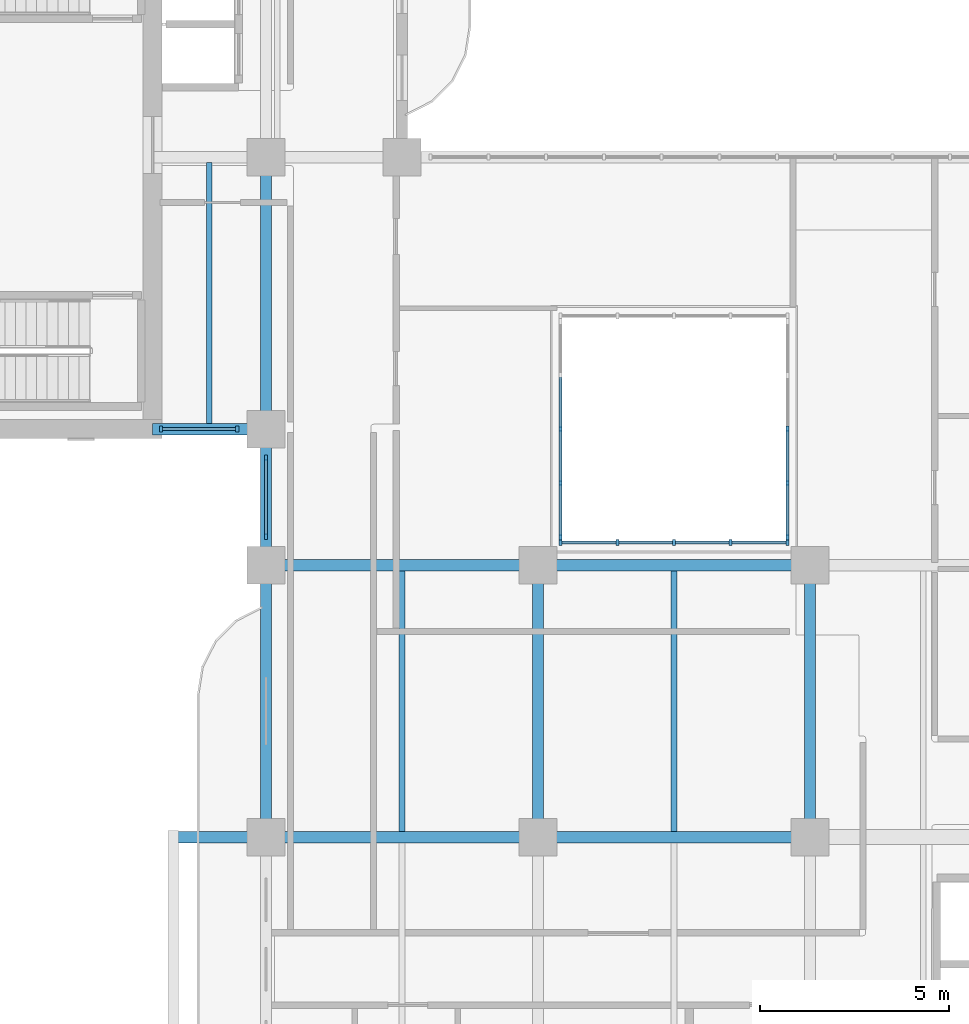
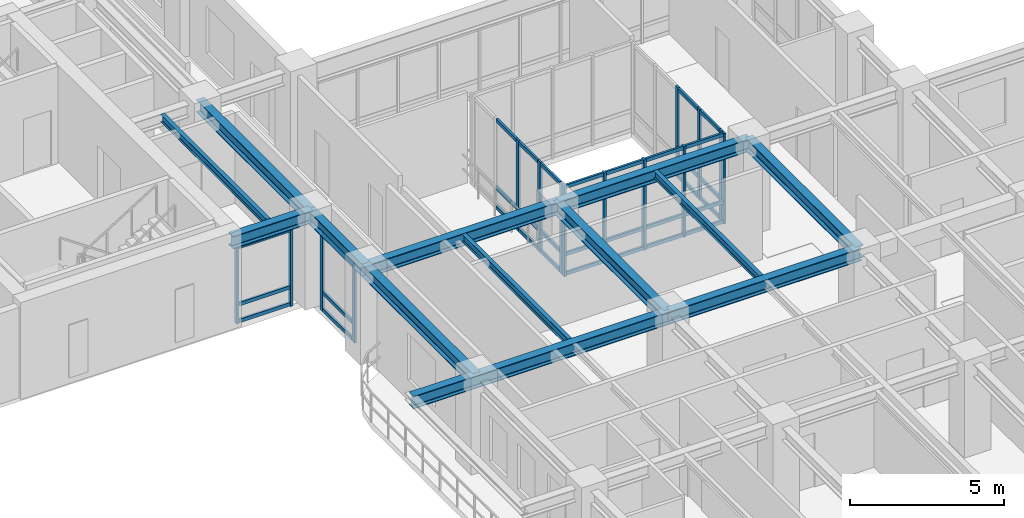
# One storey, part 2 of 19: 48 members, 13 beams, 5 elements without a shape of their own.
"""IFC4 building model written with IfcOpenShell, lengths in metres."""

import ifcopenshell
import ifcopenshell.guid

model = None  # the IFC model being written
_history = None  # IfcOwnerHistory: only IFC2X3 demands one
_inside = {}  # id of a spatial element -> (the spatial element, [elements in it])
_under = {}  # id of a project, library or spatial element -> (it, [spatial elements below it])
_declared = {}  # id of a project -> (the project, [libraries it declares])
_typed = {}  # id of a type object -> (the type object, [elements of that type])
_made_of = {}  # id of a material, layer set ... -> (it, [elements and type objects made of it])


def new_model(schema):
    """Start an empty IFC model of exactly this schema.

    Asked for "IFC4X3", IfcOpenShell would pick the latest addendum, in which some entities
    have other attributes; the version numbers below select the first issue.
    IFC2X3 requires an IfcOwnerHistory on every rooted entity: one is made here for all.
    """
    global model, _history
    if schema == "IFC4X3":
        model = ifcopenshell.file(schema_version=(4, 3, 0, 0))
    else:
        model = ifcopenshell.file(schema=schema)
    _inside.clear()
    _under.clear()
    _declared.clear()
    _typed.clear()
    _made_of.clear()
    _history = None
    if model.schema == "IFC2X3":
        org = make("IfcOrganization", Name="unknown")
        user = make(
            "IfcPersonAndOrganization",
            ThePerson=make("IfcPerson", FamilyName="unknown"),
            TheOrganization=org,
        )
        app = make(
            "IfcApplication",
            ApplicationDeveloper=org,
            Version="unknown",
            ApplicationFullName="unknown",
            ApplicationIdentifier="unknown",
        )
        _history = make(
            "IfcOwnerHistory",
            OwningUser=user,
            OwningApplication=app,
            ChangeAction="ADDED",
            CreationDate=0,
        )
    return model


def make(cls, **values):
    """One entity of the class cls with the attributes given. An attribute that is None is left unset."""
    return model.create_entity(
        cls, **{name: value for name, value in values.items() if value is not None}
    )


def rooted(cls, **values):
    """An entity with a GlobalId (a new one), such as an element, a storey or a relation."""
    return make(cls, GlobalId=ifcopenshell.guid.new(), OwnerHistory=_history, **values)


def si_unit(unit_type, name, prefix=None):
    """IfcSIUnit, for example si_unit("LENGTHUNIT", "METRE", prefix="MILLI")."""
    return make("IfcSIUnit", UnitType=unit_type, Prefix=prefix, Name=name)


def derived_unit(unit_type, elements):
    """IfcDerivedUnit: a product of units, each with its exponent."""
    return make(
        "IfcDerivedUnit",
        Elements=[
            make("IfcDerivedUnitElement", Unit=unit, Exponent=power)
            for unit, power in elements
        ],
        UnitType=unit_type,
    )


def assignment(units):
    """IfcUnitAssignment: the units of a project."""
    return None if units is None else make("IfcUnitAssignment", Units=units)


def point(xyz):
    """IfcCartesianPoint."""
    return None if xyz is None else make("IfcCartesianPoint", Coordinates=xyz)


def direction(xyz):
    """IfcDirection."""
    return None if xyz is None else make("IfcDirection", DirectionRatios=xyz)


def frame(location, z_axis=None, x_axis=None):
    """IfcAxis2Placement3D, a coordinate frame: its origin and axes. An axis left out is left unset."""
    return make(
        "IfcAxis2Placement3D",
        Location=point(location),
        Axis=direction(z_axis),
        RefDirection=direction(x_axis),
    )


def frame_2d(location, x_axis=None):
    """IfcAxis2Placement2D, a coordinate frame in the plane: its origin and x axis."""
    return make(
        "IfcAxis2Placement2D", Location=point(location), RefDirection=direction(x_axis)
    )


def origin():
    """The frame at (0, 0, 0) with its axes left unset."""
    return frame((0.0, 0.0, 0.0))


def origin_2d():
    """The frame at (0, 0) in the plane with its x axis left unset."""
    return frame_2d((0.0, 0.0))


def place(relative_to, where):
    """IfcLocalPlacement: puts the frame where relative to a parent placement (None: the world)."""
    return make(
        "IfcLocalPlacement", PlacementRelTo=relative_to, RelativePlacement=where
    )


def context(
    kind, dimensions, precision=None, world=None, true_north=None, identifier=None
):
    """IfcGeometricRepresentationContext, for example the 3D "Model" context."""
    return make(
        "IfcGeometricRepresentationContext",
        ContextIdentifier=identifier,
        ContextType=kind,
        CoordinateSpaceDimension=dimensions,
        Precision=precision,
        WorldCoordinateSystem=world,
        TrueNorth=true_north,
    )


def subcontext(parent, identifier, kind, view, scale=None):
    """IfcGeometricRepresentationSubContext, for example "Body" below "Model"."""
    return make(
        "IfcGeometricRepresentationSubContext",
        ContextIdentifier=identifier,
        ContextType=kind,
        ParentContext=parent,
        TargetScale=scale,
        TargetView=view,
    )


def project(units=None, contexts=None):
    """IfcProject with its units and contexts."""
    return rooted(
        "IfcProject",
        Name="project",
        RepresentationContexts=contexts,
        UnitsInContext=assignment(units),
    )


def spatial(cls, under=None, at=None, **own):
    """A site, building, storey or space (cls), placed at a placement, below another one or the project."""
    s = rooted(cls, ObjectPlacement=at, **own)
    if under is not None:
        _under.setdefault(under.id(), (under, []))[1].append(s)
    return s


def profile(cls, at=None, kind="AREA", **sizes):
    """A parametric profile (cls). Its sizes go by their IFC names, for example OverallWidth=200.0."""
    return make(cls, ProfileType=kind, Position=at, **sizes)


def rectangle(**sizes):
    """IfcRectangleProfileDef."""
    return profile("IfcRectangleProfileDef", **sizes)


def i_section(**sizes):
    """IfcIShapeProfileDef."""
    return profile("IfcIShapeProfileDef", **sizes)


def extrude(swept, where, along, depth):
    """IfcExtrudedAreaSolid: the profile swept, set in the frame where, extruded along a direction by depth."""
    return make(
        "IfcExtrudedAreaSolid",
        SweptArea=swept,
        Position=where,
        ExtrudedDirection=direction(along),
        Depth=depth,
    )


def shape(context_of_items, identifier, shape_type, items):
    """IfcShapeRepresentation: the items that make up one representation, for example the "Body"."""
    return make(
        "IfcShapeRepresentation",
        ContextOfItems=context_of_items,
        RepresentationIdentifier=identifier,
        RepresentationType=shape_type,
        Items=items,
    )


def source(mapping_origin, context_of_items, identifier, shape_type, items):
    """IfcRepresentationMap: a shape defined once, which mapped items show again and again."""
    return make(
        "IfcRepresentationMap",
        MappingOrigin=mapping_origin,
        MappedRepresentation=shape(context_of_items, identifier, shape_type, items),
    )


def transform(
    local_origin,
    x_axis=None,
    y_axis=None,
    z_axis=None,
    scale=None,
    scale2=None,
    scale3=None,
    uniform=True,
):
    """IfcCartesianTransformationOperator3D, or its non-uniform kind. x_axis, y_axis, z_axis: its Axis1, 2, 3."""
    if uniform:
        return make(
            "IfcCartesianTransformationOperator3D",
            Axis1=direction(x_axis),
            Axis2=direction(y_axis),
            LocalOrigin=point(local_origin),
            Scale=scale,
            Axis3=direction(z_axis),
        )
    return make(
        "IfcCartesianTransformationOperator3DnonUniform",
        Axis1=direction(x_axis),
        Axis2=direction(y_axis),
        LocalOrigin=point(local_origin),
        Scale=scale,
        Axis3=direction(z_axis),
        Scale2=scale2,
        Scale3=scale3,
    )


def mapped(mapping_source, mapping_target):
    """IfcMappedItem: shows the shape of a source again, moved by a transform."""
    return make(
        "IfcMappedItem", MappingSource=mapping_source, MappingTarget=mapping_target
    )


def material(Name=None, Category=None):
    """IfcMaterial."""
    return make("IfcMaterial", Name=Name, Category=Category)


def layer(
    of_material, thickness, ventilated=None, Name=None, Category=None, Priority=None
):
    """IfcMaterialLayer: one layer of a wall or slab, of a material (None: an air gap)."""
    return make(
        "IfcMaterialLayer",
        Material=of_material,
        LayerThickness=thickness,
        IsVentilated=ventilated,
        Name=Name,
        Category=Category,
        Priority=Priority,
    )


def layer_set(layers, Name=None):
    """IfcMaterialLayerSet."""
    return make("IfcMaterialLayerSet", MaterialLayers=layers, LayerSetName=Name)


def material_profile(
    of_material, cross_section, Name=None, Category=None, Priority=None
):
    """IfcMaterialProfile: a cross section and its material."""
    return make(
        "IfcMaterialProfile",
        Name=Name,
        Material=of_material,
        Profile=cross_section,
        Priority=Priority,
        Category=Category,
    )


def profile_set(profiles, Name=None, composite=None):
    """IfcMaterialProfileSet."""
    return make(
        "IfcMaterialProfileSet",
        Name=Name,
        MaterialProfiles=profiles,
        CompositeProfile=composite,
    )


def made_of(thing, what):
    """Note that an element or type object is made of a material, layer set ...; save() writes the relation."""
    if what is not None:
        _made_of.setdefault(what.id(), (what, []))[1].append(thing)
    return thing


def type_object(cls, material=None, **own):
    """A type object (cls), such as IfcWallType, which elements share."""
    return made_of(rooted(cls, **own), material)


def type_shapes(of_type, sources):
    """Give a type object the sources (RepresentationMaps) that its elements show as mapped items."""
    of_type.RepresentationMaps = sources


def element(
    cls,
    number,
    at=None,
    inside=None,
    cuts=None,
    type_object=None,
    material=None,
    context=None,
    identifier="Body",
    shape_type=None,
    held_by="IfcProductDefinitionShape",
    body=None,
    shapes=None,
    **own,
):
    """One element of the class cls, such as IfcWall. Its Tag is "e" and its number.

    at: its placement. inside: the storey or other place that contains it. cuts: it is an
    opening in that element (IfcRelVoidsElement). A single representation is given by context,
    identifier, shape_type and body (its items); several are given by shapes. held_by: the class
    of the entity that holds the representations. save() writes the other relations.
    """
    e = rooted(cls, Tag="e%d" % number, ObjectPlacement=at, **own)
    if body is not None:
        shapes = [shape(context, identifier, shape_type, body)]
    if shapes is not None:
        e.Representation = make(held_by, Representations=shapes)
    if inside is not None:
        _inside.setdefault(inside.id(), (inside, []))[1].append(e)
    if cuts is not None:
        rooted(
            "IfcRelVoidsElement", RelatingBuildingElement=cuts, RelatedOpeningElement=e
        )
    if type_object is not None:
        _typed.setdefault(type_object.id(), (type_object, []))[1].append(e)
    return made_of(e, material)


def aggregate(whole, parts):
    """IfcRelAggregates: a whole, such as a stair, and the parts it consists of."""
    return rooted("IfcRelAggregates", RelatingObject=whole, RelatedObjects=parts)


def save(model, path):
    """Write the relations noted so far, then the file.

    IfcRelAggregates (storeys below a building ...), IfcRelContainedInSpatialStructure (elements
    in a storey), IfcRelDefinesByType, IfcRelAssociatesMaterial and IfcRelDeclares: one each for
    every whole, place, type object, material and project.
    """
    for whole, parts in _under.values():
        aggregate(whole, parts)
    for where, things in _inside.values():
        rooted(
            "IfcRelContainedInSpatialStructure",
            RelatedElements=things,
            RelatingStructure=where,
        )
    for kind, things in _typed.values():
        rooted("IfcRelDefinesByType", RelatedObjects=things, RelatingType=kind)
    for what, things in _made_of.values():
        rooted("IfcRelAssociatesMaterial", RelatedObjects=things, RelatingMaterial=what)
    for by, libraries in _declared.values():
        rooted("IfcRelDeclares", RelatingContext=by, RelatedDefinitions=libraries)
    model.write(path)


model = new_model("IFC4")

# Units and contexts
model_context = context("Model", 3, precision=1e-05, world=origin(), true_north=direction((0.0, 1.0)))
body_context = subcontext(model_context, "Body", "Model", "MODEL_VIEW")
ifc_project = project(units=[si_unit("LENGTHUNIT", "METRE"), si_unit("AREAUNIT", "SQUARE_METRE"), si_unit("VOLUMEUNIT", "CUBIC_METRE"), si_unit("PLANEANGLEUNIT", "RADIAN"), si_unit("MASSUNIT", "GRAM", prefix="KILO"), si_unit("THERMODYNAMICTEMPERATUREUNIT", "KELVIN"), si_unit("POWERUNIT", "WATT"), derived_unit("THERMALTRANSMITTANCEUNIT", [(si_unit("POWERUNIT", "WATT"), 1), (si_unit("AREAUNIT", "SQUARE_METRE"), -1), (si_unit("THERMODYNAMICTEMPERATUREUNIT", "KELVIN"), -1)])], contexts=[model_context])

# Site, building, storey
site_placement = place(None, origin())
site = spatial("IfcSite", under=ifc_project, at=site_placement, CompositionType="ELEMENT")
building_placement = place(site_placement, origin())
building = spatial("IfcBuilding", under=site, at=building_placement, Name="Zahravan Archway Hotel and Residences", CompositionType="ELEMENT")
storey_placement = place(building_placement, frame((0.0, 0.0, 158.0)))
storey = spatial("IfcBuildingStorey", under=building, at=storey_placement, Name="L39", CompositionType="ELEMENT", Elevation=158.0)

# Beams
ifc_material_1 = material(Name="Structural Steel S355JR", Category="steel")
ifc_material_profile_1 = material_profile(ifc_material_1, i_section(OverallWidth=0.300048828125, OverallDepth=0.5, WebThickness=0.014404296875, FlangeThickness=0.028076171875, FilletRadius=0.027099609375, at=origin_2d()), Name="HEB 500", Category="steel")
ifc_profile_set_1 = profile_set([ifc_material_profile_1], Name="Structural Steel S355JR")
beam_type_1 = type_object("IfcBeamType", Name="BM-PRI-HEB500", PredefinedType="BEAM", material=ifc_profile_set_1)
shared_shape_1 = source(origin(), body_context, "Body", "SweptSolid", [
    extrude(i_section(OverallWidth=0.300048828125, OverallDepth=0.5, WebThickness=0.014404296875, FlangeThickness=0.028076171875, FilletRadius=0.027099609375, at=origin_2d()), origin(), (0.0, 0.0, 1.0), 7.2001953125),
])
type_shapes(beam_type_1, [shared_shape_1])
for number, where, z_axis, x_axis, name in (
    (1, (14.39990234375, 21.60009765625, 3.35009765625), (1.0, 0.0, 0.0), (0.0, 1.0, 0.0), "L39 Primary Girder EW-11"),
    (2, (14.39990234375, 14.39990234375, 3.35009765625), (0.0, 1.0, 0.0), (-1.0, 0.0, 0.0), "L39 Primary Girder NS-30"),
    (3, (21.60009765625, 14.39990234375, 3.35009765625), (0.0, 1.0, 0.0), (-1.0, 0.0, 0.0), "L39 Primary Girder NS-37"),
    (4, (28.800048828125, 14.39990234375, 3.35009765625), (0.0, 1.0, 0.0), (-1.0, 0.0, 0.0), "L39 Primary Girder NS-40"),
):
    element("IfcBeam", number, at=place(storey_placement, frame(where, z_axis=z_axis, x_axis=x_axis)), inside=storey, type_object=beam_type_1, Name=name, PredefinedType="BEAM", context=body_context, shape_type="MappedRepresentation", body=[
        mapped(shared_shape_1, transform((0.0, 0.0, 0.0), scale=1.0)),
    ])
shared_shape_2 = source(origin(), body_context, "Body", "SweptSolid", [
    extrude(i_section(OverallWidth=0.300048828125, OverallDepth=0.5, WebThickness=0.014404296875, FlangeThickness=0.028076171875, FilletRadius=0.027099609375, at=origin_2d()), origin(), (0.0, 0.0, 1.0), 7.199951171875),
])
for number, where, z_axis, x_axis, name in (
    (5, (21.60009765625, 14.39990234375, 3.35009765625), (1.0, 0.0, 0.0), (0.0, 1.0, 0.0), "L39 Primary Girder EW-10"),
    (6, (21.60009765625, 21.60009765625, 3.35009765625), (1.0, 0.0, 0.0), (0.0, 1.0, 0.0), "L39 Primary Girder EW-12"),
    (7, (14.39990234375, 25.199951171875, 3.35009765625), (0.0, 1.0, 0.0), (-1.0, 0.0, 0.0), "L39 Primary Girder NS-32"),
):
    element("IfcBeam", number, at=place(storey_placement, frame(where, z_axis=z_axis, x_axis=x_axis)), inside=storey, type_object=beam_type_1, Name=name, PredefinedType="BEAM", context=body_context, shape_type="MappedRepresentation", body=[
        mapped(shared_shape_2, transform((0.0, 0.0, 0.0), scale=1.0)),
    ])
shared_shape_3 = source(origin(), body_context, "Body", "SweptSolid", [
    extrude(i_section(OverallWidth=0.300048828125, OverallDepth=0.5, WebThickness=0.014404296875, FlangeThickness=0.028076171875, FilletRadius=0.027099609375, at=origin_2d()), origin(), (0.0, 0.0, 1.0), 9.650146484375),
])
beam_1_placement = place(storey_placement, frame((11.949951171875, 14.39990234375, 3.35009765625), z_axis=(1.0, 0.0, 0.0), x_axis=(0.0, 1.0, 0.0)))
element("IfcBeam", 8, at=beam_1_placement, inside=storey, type_object=beam_type_1, Name="L39 Primary Girder EW-09", PredefinedType="BEAM", context=body_context, shape_type="MappedRepresentation", body=[
    mapped(shared_shape_3, transform((0.0, 0.0, 0.0), scale=1.0)),
])
shared_shape_4 = source(origin(), body_context, "Body", "SweptSolid", [
    extrude(i_section(OverallWidth=0.300048828125, OverallDepth=0.5, WebThickness=0.014404296875, FlangeThickness=0.028076171875, FilletRadius=0.027099609375, at=origin_2d()), origin(), (0.0, 0.0, 1.0), 3.0),
])
beam_2_placement = place(storey_placement, frame((11.39990234375, 25.199951171875, 3.35009765625), z_axis=(1.0, 0.0, 0.0), x_axis=(0.0, 1.0, 0.0)))
element("IfcBeam", 9, at=beam_2_placement, inside=storey, type_object=beam_type_1, Name="L39 Primary Girder EW-16", PredefinedType="BEAM", context=body_context, shape_type="MappedRepresentation", body=[
    mapped(shared_shape_4, transform((0.0, 0.0, 0.0), scale=1.0)),
])
shared_shape_5 = source(origin(), body_context, "Body", "SweptSolid", [
    extrude(i_section(OverallWidth=0.300048828125, OverallDepth=0.5, WebThickness=0.014404296875, FlangeThickness=0.028076171875, FilletRadius=0.027099609375, at=origin_2d()), origin(), (0.0, 0.0, 1.0), 3.599853515625),
])
beam_3_placement = place(storey_placement, frame((14.39990234375, 21.60009765625, 3.35009765625), z_axis=(0.0, 1.0, 0.0), x_axis=(-1.0, 0.0, 0.0)))
element("IfcBeam", 10, at=beam_3_placement, inside=storey, type_object=beam_type_1, Name="L39 Primary Girder NS-31", PredefinedType="BEAM", context=body_context, shape_type="MappedRepresentation", body=[
    mapped(shared_shape_5, transform((0.0, 0.0, 0.0), scale=1.0)),
])
ifc_material_profile_2 = material_profile(ifc_material_1, i_section(OverallWidth=0.14990234375, OverallDepth=0.300048828125, WebThickness=0.007080078125, FlangeThickness=0.0107421875, FilletRadius=0.014892578125, at=origin_2d()), Name="IPE 300", Category="steel")
ifc_profile_set_2 = profile_set([ifc_material_profile_2], Name="Structural Steel S355JR")
beam_type_2 = type_object("IfcBeamType", Name="BM-JST-IPE300", PredefinedType="JOIST", material=ifc_profile_set_2)
shared_shape_6 = source(origin(), body_context, "Body", "SweptSolid", [
    extrude(i_section(OverallWidth=0.14990234375, OverallDepth=0.300048828125, WebThickness=0.007080078125, FlangeThickness=0.0107421875, FilletRadius=0.014892578125, at=origin_2d()), origin(), (0.0, 0.0, 1.0), 6.904052734375),
])
type_shapes(beam_type_2, [shared_shape_6])
beam_4_placement = place(storey_placement, frame((12.89990234375, 25.347900390625, 3.449951171875), z_axis=(0.0, 1.0, 0.0), x_axis=(-1.0, 0.0, 0.0)))
element("IfcBeam", 11, at=beam_4_placement, inside=storey, type_object=beam_type_2, Name="L39 Composite Floor Joist 10", PredefinedType="JOIST", context=body_context, shape_type="MappedRepresentation", body=[
    mapped(shared_shape_6, transform((0.0, 0.0, 0.0), scale=1.0)),
])
shared_shape_7 = source(origin(), body_context, "Body", "SweptSolid", [
    extrude(i_section(OverallWidth=0.14990234375, OverallDepth=0.300048828125, WebThickness=0.007080078125, FlangeThickness=0.0107421875, FilletRadius=0.014892578125, at=origin_2d()), origin(), (0.0, 0.0, 1.0), 6.90380859375),
])
for number, where, z_axis, x_axis, name in (
    (12, (18.0, 14.548095703125, 3.449951171875), (0.0, 1.0, 0.0), (-1.0, 0.0, 0.0), "L39 Composite Floor Joist 08"),
    (13, (25.199951171875, 14.548095703125, 3.449951171875), (0.0, 1.0, 0.0), (-1.0, 0.0, 0.0), "L39 Composite Floor Joist 09"),
):
    element("IfcBeam", number, at=place(storey_placement, frame(where, z_axis=z_axis, x_axis=x_axis)), inside=storey, type_object=beam_type_2, Name=name, PredefinedType="JOIST", context=body_context, shape_type="MappedRepresentation", body=[
        mapped(shared_shape_7, transform((0.0, 0.0, 0.0), scale=1.0)),
    ])

# Curtain wall, members
ifc_material_2 = material(Name="Bronze-Anodized Unitised Aluminium & Low-E Glass", Category="aluminium")
ifc_layer = layer(ifc_material_2, 0.179931640625, Name="Bronze-Anodized Unitised Aluminium & Low-E Glass", Category="aluminium")
ifc_layer_set = layer_set([ifc_layer], Name="Bronze-Anodized Unitised Aluminium & Low-E Glass")
curtain_wall_type = type_object("IfcCurtainWallType", Name="CW-ATR-GLAZ", PredefinedType="NOTDEFINED", material=ifc_layer_set)
curtain_wall_1_placement = place(storey_placement, origin())
curtain_wall_1 = element("IfcCurtainWall", 14, at=curtain_wall_1_placement, inside=storey, type_object=curtain_wall_type, Name="L39 Curtain Wall CW-L39-WB-SE-1", PredefinedType="NOTDEFINED")
ifc_material_3 = material(Name="Bronze-Anodized Extruded Aluminium", Category="aluminium")
ifc_material_profile_3 = material_profile(ifc_material_3, rectangle(XDim=0.080078125, YDim=0.139892578125, at=origin_2d()), Name="TRN 80x140", Category="aluminium")
ifc_profile_set_3 = profile_set([ifc_material_profile_3], Name="Bronze-Anodized Extruded Aluminium")
member_type_1 = type_object("IfcMemberType", Name="CWM-TRN-140", PredefinedType="USERDEFINED", material=ifc_profile_set_3)
shared_shape_8 = source(origin(), body_context, "Body", "SweptSolid", [
    extrude(rectangle(XDim=0.080078125, YDim=0.139892578125, at=origin_2d()), origin(), (0.0, 0.0, 1.0), 1.940185546875),
])
member_1_placement = place(storey_placement, frame((11.659912109375, 25.199951171875, 0.070068359375), z_axis=(1.0, 0.0, 0.0), x_axis=(0.0, 1.0, 0.0)))
member_1 = element("IfcMember", 15, at=member_1_placement, type_object=member_type_1, Name="CW-L39-WB-SE-1 Transom 0-1", ObjectType="TRANSOM", PredefinedType="USERDEFINED", context=body_context, shape_type="MappedRepresentation", body=[
    mapped(shared_shape_8, transform((0.0, 0.0, 0.0), scale=1.0)),
])
member_2_placement = place(storey_placement, frame((11.659912109375, 25.199951171875, 0.740478515625), z_axis=(1.0, 0.0, 0.0), x_axis=(0.0, 1.0, 0.0)))
member_2 = element("IfcMember", 16, at=member_2_placement, type_object=member_type_1, Name="CW-L39-WB-SE-1 Transom 0-2", ObjectType="TRANSOM", PredefinedType="USERDEFINED", context=body_context, shape_type="MappedRepresentation", body=[
    mapped(shared_shape_8, transform((0.0, 0.0, 0.0), scale=1.0)),
])
member_3_placement = place(storey_placement, frame((11.659912109375, 25.199951171875, 3.014892578125), z_axis=(1.0, 0.0, 0.0), x_axis=(0.0, 1.0, 0.0)))
member_3 = element("IfcMember", 17, at=member_3_placement, type_object=member_type_1, Name="CW-L39-WB-SE-1 Transom 0-3", ObjectType="TRANSOM", PredefinedType="USERDEFINED", context=body_context, shape_type="MappedRepresentation", body=[
    mapped(shared_shape_8, transform((0.0, 0.0, 0.0), scale=1.0)),
])

curtain_wall_2_placement = place(storey_placement, origin())
curtain_wall_2 = element("IfcCurtainWall", 18, at=curtain_wall_2_placement, inside=storey, type_object=curtain_wall_type, Name="L39 Curtain Wall CW-L39-WA-WLU-1", PredefinedType="NOTDEFINED")
shared_shape_9 = source(origin(), body_context, "Body", "SweptSolid", [
    extrude(rectangle(XDim=0.080078125, YDim=0.139892578125, at=origin_2d()), origin(), (0.0, 0.0, 1.0), 2.0),
])
member_4_placement = place(storey_placement, frame((14.39990234375, 22.39990234375, 0.070068359375), z_axis=(0.0, 1.0, 0.0), x_axis=(-1.0, 0.0, 0.0)))
member_4 = element("IfcMember", 19, at=member_4_placement, type_object=member_type_1, Name="CW-L39-WA-WLU-1 Transom 0-1", ObjectType="TRANSOM", PredefinedType="USERDEFINED", context=body_context, shape_type="MappedRepresentation", body=[
    mapped(shared_shape_9, transform((0.0, 0.0, 0.0), scale=1.0)),
])
member_5_placement = place(storey_placement, frame((14.39990234375, 22.39990234375, 0.740478515625), z_axis=(0.0, 1.0, 0.0), x_axis=(-1.0, 0.0, 0.0)))
member_5 = element("IfcMember", 20, at=member_5_placement, type_object=member_type_1, Name="CW-L39-WA-WLU-1 Transom 0-2", ObjectType="TRANSOM", PredefinedType="USERDEFINED", context=body_context, shape_type="MappedRepresentation", body=[
    mapped(shared_shape_9, transform((0.0, 0.0, 0.0), scale=1.0)),
])
member_6_placement = place(storey_placement, frame((14.39990234375, 22.39990234375, 3.014892578125), z_axis=(0.0, 1.0, 0.0), x_axis=(-1.0, 0.0, 0.0)))
member_6 = element("IfcMember", 21, at=member_6_placement, type_object=member_type_1, Name="CW-L39-WA-WLU-1 Transom 0-3", ObjectType="TRANSOM", PredefinedType="USERDEFINED", context=body_context, shape_type="MappedRepresentation", body=[
    mapped(shared_shape_9, transform((0.0, 0.0, 0.0), scale=1.0)),
])

curtain_wall_3_placement = place(storey_placement, origin())
curtain_wall_3 = element("IfcCurtainWall", 22, at=curtain_wall_3_placement, inside=storey, type_object=curtain_wall_type, Name="L39 Curtain Wall CW-ATR-L39-S-1", PredefinedType="NOTDEFINED")
shared_shape_10 = source(origin(), body_context, "Body", "SweptSolid", [
    extrude(rectangle(XDim=0.080078125, YDim=0.139892578125, at=origin_2d()), origin(), (0.0, 0.0, 1.0), 1.419921875),
])
member_7_placement = place(storey_placement, frame((22.239990234375, 22.199951171875, 0.070068359375), z_axis=(1.0, 0.0, 0.0), x_axis=(0.0, 1.0, 0.0)))
member_7 = element("IfcMember", 23, at=member_7_placement, type_object=member_type_1, Name="CW-ATR-L39-S-1 Transom 0-1", ObjectType="TRANSOM", PredefinedType="USERDEFINED", context=body_context, shape_type="MappedRepresentation", body=[
    mapped(shared_shape_10, transform((0.0, 0.0, 0.0), scale=1.0)),
])
member_8_placement = place(storey_placement, frame((22.239990234375, 22.199951171875, 0.85009765625), z_axis=(1.0, 0.0, 0.0), x_axis=(0.0, 1.0, 0.0)))
member_8 = element("IfcMember", 24, at=member_8_placement, type_object=member_type_1, Name="CW-ATR-L39-S-1 Transom 0-2", ObjectType="TRANSOM", PredefinedType="USERDEFINED", context=body_context, shape_type="MappedRepresentation", body=[
    mapped(shared_shape_10, transform((0.0, 0.0, 0.0), scale=1.0)),
])
member_9_placement = place(storey_placement, frame((22.239990234375, 22.199951171875, 3.530029296875), z_axis=(1.0, 0.0, 0.0), x_axis=(0.0, 1.0, 0.0)))
member_9 = element("IfcMember", 25, at=member_9_placement, type_object=member_type_1, Name="CW-ATR-L39-S-1 Transom 0-3", ObjectType="TRANSOM", PredefinedType="USERDEFINED", context=body_context, shape_type="MappedRepresentation", body=[
    mapped(shared_shape_10, transform((0.0, 0.0, 0.0), scale=1.0)),
])
member_10_placement = place(storey_placement, frame((23.739990234375, 22.199951171875, 0.070068359375), z_axis=(1.0, 0.0, 0.0), x_axis=(0.0, 1.0, 0.0)))
member_10 = element("IfcMember", 26, at=member_10_placement, type_object=member_type_1, Name="CW-ATR-L39-S-1 Transom 1-1", ObjectType="TRANSOM", PredefinedType="USERDEFINED", context=body_context, shape_type="MappedRepresentation", body=[
    mapped(shared_shape_10, transform((0.0, 0.0, 0.0), scale=1.0)),
])
member_11_placement = place(storey_placement, frame((23.739990234375, 22.199951171875, 0.85009765625), z_axis=(1.0, 0.0, 0.0), x_axis=(0.0, 1.0, 0.0)))
member_11 = element("IfcMember", 27, at=member_11_placement, type_object=member_type_1, Name="CW-ATR-L39-S-1 Transom 1-2", ObjectType="TRANSOM", PredefinedType="USERDEFINED", context=body_context, shape_type="MappedRepresentation", body=[
    mapped(shared_shape_10, transform((0.0, 0.0, 0.0), scale=1.0)),
])
member_12_placement = place(storey_placement, frame((23.739990234375, 22.199951171875, 3.530029296875), z_axis=(1.0, 0.0, 0.0), x_axis=(0.0, 1.0, 0.0)))
member_12 = element("IfcMember", 28, at=member_12_placement, type_object=member_type_1, Name="CW-ATR-L39-S-1 Transom 1-3", ObjectType="TRANSOM", PredefinedType="USERDEFINED", context=body_context, shape_type="MappedRepresentation", body=[
    mapped(shared_shape_10, transform((0.0, 0.0, 0.0), scale=1.0)),
])
member_13_placement = place(storey_placement, frame((25.239990234375, 22.199951171875, 0.070068359375), z_axis=(1.0, 0.0, 0.0), x_axis=(0.0, 1.0, 0.0)))
member_13 = element("IfcMember", 29, at=member_13_placement, type_object=member_type_1, Name="CW-ATR-L39-S-1 Transom 2-1", ObjectType="TRANSOM", PredefinedType="USERDEFINED", context=body_context, shape_type="MappedRepresentation", body=[
    mapped(shared_shape_10, transform((0.0, 0.0, 0.0), scale=1.0)),
])
member_14_placement = place(storey_placement, frame((25.239990234375, 22.199951171875, 0.85009765625), z_axis=(1.0, 0.0, 0.0), x_axis=(0.0, 1.0, 0.0)))
member_14 = element("IfcMember", 30, at=member_14_placement, type_object=member_type_1, Name="CW-ATR-L39-S-1 Transom 2-2", ObjectType="TRANSOM", PredefinedType="USERDEFINED", context=body_context, shape_type="MappedRepresentation", body=[
    mapped(shared_shape_10, transform((0.0, 0.0, 0.0), scale=1.0)),
])
member_15_placement = place(storey_placement, frame((25.239990234375, 22.199951171875, 3.530029296875), z_axis=(1.0, 0.0, 0.0), x_axis=(0.0, 1.0, 0.0)))
member_15 = element("IfcMember", 31, at=member_15_placement, type_object=member_type_1, Name="CW-ATR-L39-S-1 Transom 2-3", ObjectType="TRANSOM", PredefinedType="USERDEFINED", context=body_context, shape_type="MappedRepresentation", body=[
    mapped(shared_shape_10, transform((0.0, 0.0, 0.0), scale=1.0)),
])
member_16_placement = place(storey_placement, frame((26.739990234375, 22.199951171875, 0.070068359375), z_axis=(1.0, 0.0, 0.0), x_axis=(0.0, 1.0, 0.0)))
member_16 = element("IfcMember", 32, at=member_16_placement, type_object=member_type_1, Name="CW-ATR-L39-S-1 Transom 3-1", ObjectType="TRANSOM", PredefinedType="USERDEFINED", context=body_context, shape_type="MappedRepresentation", body=[
    mapped(shared_shape_10, transform((0.0, 0.0, 0.0), scale=1.0)),
])
member_17_placement = place(storey_placement, frame((26.739990234375, 22.199951171875, 0.85009765625), z_axis=(1.0, 0.0, 0.0), x_axis=(0.0, 1.0, 0.0)))
member_17 = element("IfcMember", 33, at=member_17_placement, type_object=member_type_1, Name="CW-ATR-L39-S-1 Transom 3-2", ObjectType="TRANSOM", PredefinedType="USERDEFINED", context=body_context, shape_type="MappedRepresentation", body=[
    mapped(shared_shape_10, transform((0.0, 0.0, 0.0), scale=1.0)),
])
member_18_placement = place(storey_placement, frame((26.739990234375, 22.199951171875, 3.530029296875), z_axis=(1.0, 0.0, 0.0), x_axis=(0.0, 1.0, 0.0)))
member_18 = element("IfcMember", 34, at=member_18_placement, type_object=member_type_1, Name="CW-ATR-L39-S-1 Transom 3-3", ObjectType="TRANSOM", PredefinedType="USERDEFINED", context=body_context, shape_type="MappedRepresentation", body=[
    mapped(shared_shape_10, transform((0.0, 0.0, 0.0), scale=1.0)),
])

curtain_wall_4_placement = place(storey_placement, origin())
curtain_wall_4 = element("IfcCurtainWall", 35, at=curtain_wall_4_placement, inside=storey, type_object=curtain_wall_type, Name="L39 Curtain Wall CW-ATR-L39-W-1", PredefinedType="NOTDEFINED")
shared_shape_11 = source(origin(), body_context, "Body", "SweptSolid", [
    extrude(rectangle(XDim=0.080078125, YDim=0.139892578125, at=origin_2d()), origin(), (0.0, 0.0, 1.0), 1.34521484375),
])
member_19_placement = place(storey_placement, frame((22.199951171875, 22.389892578125, 0.070068359375), z_axis=(0.0, 1.0, 0.0), x_axis=(-1.0, 0.0, 0.0)))
member_19 = element("IfcMember", 36, at=member_19_placement, type_object=member_type_1, Name="CW-ATR-L39-W-1 Transom 0-1", ObjectType="TRANSOM", PredefinedType="USERDEFINED", context=body_context, shape_type="MappedRepresentation", body=[
    mapped(shared_shape_11, transform((0.0, 0.0, 0.0), scale=1.0)),
])
member_20_placement = place(storey_placement, frame((22.199951171875, 22.389892578125, 0.85009765625), z_axis=(0.0, 1.0, 0.0), x_axis=(-1.0, 0.0, 0.0)))
member_20 = element("IfcMember", 37, at=member_20_placement, type_object=member_type_1, Name="CW-ATR-L39-W-1 Transom 0-2", ObjectType="TRANSOM", PredefinedType="USERDEFINED", context=body_context, shape_type="MappedRepresentation", body=[
    mapped(shared_shape_11, transform((0.0, 0.0, 0.0), scale=1.0)),
])
member_21_placement = place(storey_placement, frame((22.199951171875, 22.389892578125, 3.530029296875), z_axis=(0.0, 1.0, 0.0), x_axis=(-1.0, 0.0, 0.0)))
member_21 = element("IfcMember", 38, at=member_21_placement, type_object=member_type_1, Name="CW-ATR-L39-W-1 Transom 0-3", ObjectType="TRANSOM", PredefinedType="USERDEFINED", context=body_context, shape_type="MappedRepresentation", body=[
    mapped(shared_shape_11, transform((0.0, 0.0, 0.0), scale=1.0)),
])

curtain_wall_5_placement = place(storey_placement, origin())
curtain_wall_5 = element("IfcCurtainWall", 39, at=curtain_wall_5_placement, inside=storey, type_object=curtain_wall_type, Name="L39 Curtain Wall CW-ATR-L39-E-1", PredefinedType="NOTDEFINED")
member_22_placement = place(storey_placement, frame((28.199951171875, 22.389892578125, 0.070068359375), z_axis=(0.0, 1.0, 0.0), x_axis=(-1.0, 0.0, 0.0)))
member_22 = element("IfcMember", 40, at=member_22_placement, type_object=member_type_1, Name="CW-ATR-L39-E-1 Transom 0-1", ObjectType="TRANSOM", PredefinedType="USERDEFINED", context=body_context, shape_type="MappedRepresentation", body=[
    mapped(shared_shape_11, transform((0.0, 0.0, 0.0), scale=1.0)),
])
member_23_placement = place(storey_placement, frame((28.199951171875, 22.389892578125, 0.85009765625), z_axis=(0.0, 1.0, 0.0), x_axis=(-1.0, 0.0, 0.0)))
member_23 = element("IfcMember", 41, at=member_23_placement, type_object=member_type_1, Name="CW-ATR-L39-E-1 Transom 0-2", ObjectType="TRANSOM", PredefinedType="USERDEFINED", context=body_context, shape_type="MappedRepresentation", body=[
    mapped(shared_shape_11, transform((0.0, 0.0, 0.0), scale=1.0)),
])
member_24_placement = place(storey_placement, frame((28.199951171875, 22.389892578125, 3.530029296875), z_axis=(0.0, 1.0, 0.0), x_axis=(-1.0, 0.0, 0.0)))
member_24 = element("IfcMember", 42, at=member_24_placement, type_object=member_type_1, Name="CW-ATR-L39-E-1 Transom 0-3", ObjectType="TRANSOM", PredefinedType="USERDEFINED", context=body_context, shape_type="MappedRepresentation", body=[
    mapped(shared_shape_11, transform((0.0, 0.0, 0.0), scale=1.0)),
])

# Member
shared_shape_12 = source(origin(), body_context, "Body", "SweptSolid", [
    extrude(rectangle(XDim=0.080078125, YDim=0.139892578125, at=origin_2d()), origin(), (0.0, 0.0, 1.0), 1.344970703125),
])
member_25_placement = place(storey_placement, frame((22.199951171875, 23.81494140625, 0.070068359375), z_axis=(0.0, 1.0, 0.0), x_axis=(-1.0, 0.0, 0.0)))
member_25 = element("IfcMember", 43, at=member_25_placement, type_object=member_type_1, Name="CW-ATR-L39-W-1 Transom 1-1", ObjectType="TRANSOM", PredefinedType="USERDEFINED", context=body_context, shape_type="MappedRepresentation", body=[
    mapped(shared_shape_12, transform((0.0, 0.0, 0.0), scale=1.0)),
])

member_26_placement = place(storey_placement, frame((22.199951171875, 23.81494140625, 0.85009765625), z_axis=(0.0, 1.0, 0.0), x_axis=(-1.0, 0.0, 0.0)))
member_26 = element("IfcMember", 44, at=member_26_placement, type_object=member_type_1, Name="CW-ATR-L39-W-1 Transom 1-2", ObjectType="TRANSOM", PredefinedType="USERDEFINED", context=body_context, shape_type="MappedRepresentation", body=[
    mapped(shared_shape_12, transform((0.0, 0.0, 0.0), scale=1.0)),
])

member_27_placement = place(storey_placement, frame((22.199951171875, 23.81494140625, 3.530029296875), z_axis=(0.0, 1.0, 0.0), x_axis=(-1.0, 0.0, 0.0)))
member_27 = element("IfcMember", 45, at=member_27_placement, type_object=member_type_1, Name="CW-ATR-L39-W-1 Transom 1-3", ObjectType="TRANSOM", PredefinedType="USERDEFINED", context=body_context, shape_type="MappedRepresentation", body=[
    mapped(shared_shape_12, transform((0.0, 0.0, 0.0), scale=1.0)),
])

member_28_placement = place(storey_placement, frame((22.199951171875, 25.239990234375, 0.070068359375), z_axis=(0.0, 1.0, 0.0), x_axis=(-1.0, 0.0, 0.0)))
member_28 = element("IfcMember", 46, at=member_28_placement, type_object=member_type_1, Name="CW-ATR-L39-W-1 Transom 2-1", ObjectType="TRANSOM", PredefinedType="USERDEFINED", context=body_context, shape_type="MappedRepresentation", body=[
    mapped(shared_shape_12, transform((0.0, 0.0, 0.0), scale=1.0)),
])

member_29_placement = place(storey_placement, frame((22.199951171875, 25.239990234375, 0.85009765625), z_axis=(0.0, 1.0, 0.0), x_axis=(-1.0, 0.0, 0.0)))
member_29 = element("IfcMember", 47, at=member_29_placement, type_object=member_type_1, Name="CW-ATR-L39-W-1 Transom 2-2", ObjectType="TRANSOM", PredefinedType="USERDEFINED", context=body_context, shape_type="MappedRepresentation", body=[
    mapped(shared_shape_12, transform((0.0, 0.0, 0.0), scale=1.0)),
])

member_30_placement = place(storey_placement, frame((22.199951171875, 25.239990234375, 3.530029296875), z_axis=(0.0, 1.0, 0.0), x_axis=(-1.0, 0.0, 0.0)))
member_30 = element("IfcMember", 48, at=member_30_placement, type_object=member_type_1, Name="CW-ATR-L39-W-1 Transom 2-3", ObjectType="TRANSOM", PredefinedType="USERDEFINED", context=body_context, shape_type="MappedRepresentation", body=[
    mapped(shared_shape_12, transform((0.0, 0.0, 0.0), scale=1.0)),
])

member_31_placement = place(storey_placement, frame((28.199951171875, 23.81494140625, 0.070068359375), z_axis=(0.0, 1.0, 0.0), x_axis=(-1.0, 0.0, 0.0)))
member_31 = element("IfcMember", 49, at=member_31_placement, type_object=member_type_1, Name="CW-ATR-L39-E-1 Transom 1-1", ObjectType="TRANSOM", PredefinedType="USERDEFINED", context=body_context, shape_type="MappedRepresentation", body=[
    mapped(shared_shape_12, transform((0.0, 0.0, 0.0), scale=1.0)),
])

member_32_placement = place(storey_placement, frame((28.199951171875, 23.81494140625, 0.85009765625), z_axis=(0.0, 1.0, 0.0), x_axis=(-1.0, 0.0, 0.0)))
member_32 = element("IfcMember", 50, at=member_32_placement, type_object=member_type_1, Name="CW-ATR-L39-E-1 Transom 1-2", ObjectType="TRANSOM", PredefinedType="USERDEFINED", context=body_context, shape_type="MappedRepresentation", body=[
    mapped(shared_shape_12, transform((0.0, 0.0, 0.0), scale=1.0)),
])

member_33_placement = place(storey_placement, frame((28.199951171875, 23.81494140625, 3.530029296875), z_axis=(0.0, 1.0, 0.0), x_axis=(-1.0, 0.0, 0.0)))
member_33 = element("IfcMember", 51, at=member_33_placement, type_object=member_type_1, Name="CW-ATR-L39-E-1 Transom 1-3", ObjectType="TRANSOM", PredefinedType="USERDEFINED", context=body_context, shape_type="MappedRepresentation", body=[
    mapped(shared_shape_12, transform((0.0, 0.0, 0.0), scale=1.0)),
])

ifc_material_profile_4 = material_profile(ifc_material_3, rectangle(XDim=0.080078125, YDim=0.159912109375, at=origin_2d()), Name="MUL 80x160", Category="aluminium")
ifc_profile_set_4 = profile_set([ifc_material_profile_4], Name="Bronze-Anodized Extruded Aluminium")
member_type_2 = type_object("IfcMemberType", Name="CWM-MUL-160", PredefinedType="MULLION", material=ifc_profile_set_4)
shared_shape_13 = source(origin(), body_context, "Body", "SweptSolid", [
    extrude(rectangle(XDim=0.080078125, YDim=0.159912109375, at=origin_2d()), origin(), (0.0, 0.0, 1.0), 3.0849609375),
])
member_34_placement = place(storey_placement, frame((14.39990234375, 22.360107421875, 0.0), z_axis=(0.0, 0.0, 1.0), x_axis=(1.0, 0.0, 0.0)))
member_34 = element("IfcMember", 52, at=member_34_placement, type_object=member_type_2, Name="CW-L39-WA-WLU-1 Mullion 0", PredefinedType="MULLION", context=body_context, shape_type="MappedRepresentation", body=[
    mapped(shared_shape_13, transform((0.0, 0.0, 0.0), scale=1.0)),
])

member_35_placement = place(storey_placement, frame((14.39990234375, 24.43994140625, 0.0), z_axis=(0.0, 0.0, 1.0), x_axis=(1.0, 0.0, 0.0)))
member_35 = element("IfcMember", 53, at=member_35_placement, type_object=member_type_2, Name="CW-L39-WA-WLU-1 Mullion 1", PredefinedType="MULLION", context=body_context, shape_type="MappedRepresentation", body=[
    mapped(shared_shape_13, transform((0.0, 0.0, 0.0), scale=1.0)),
])

aggregate(curtain_wall_2, [member_34, member_35, member_4, member_5, member_6])

member_36_placement = place(storey_placement, frame((11.6201171875, 25.199951171875, 0.0), z_axis=(0.0, 0.0, 1.0), x_axis=(1.0, 0.0, 0.0)))
member_36 = element("IfcMember", 54, at=member_36_placement, type_object=member_type_2, Name="CW-L39-WB-SE-1 Mullion 0", PredefinedType="MULLION", context=body_context, shape_type="MappedRepresentation", body=[
    mapped(shared_shape_13, transform((0.0, 0.0, 0.0), scale=1.0)),
])

member_37_placement = place(storey_placement, frame((13.639892578125, 25.199951171875, 0.0), z_axis=(0.0, 0.0, 1.0), x_axis=(1.0, 0.0, 0.0)))
member_37 = element("IfcMember", 55, at=member_37_placement, type_object=member_type_2, Name="CW-L39-WB-SE-1 Mullion 1", PredefinedType="MULLION", context=body_context, shape_type="MappedRepresentation", body=[
    mapped(shared_shape_13, transform((0.0, 0.0, 0.0), scale=1.0)),
])

aggregate(curtain_wall_1, [member_36, member_37, member_1, member_2, member_3])

shared_shape_14 = source(origin(), body_context, "Body", "SweptSolid", [
    extrude(rectangle(XDim=0.080078125, YDim=0.159912109375, at=origin_2d()), origin(), (0.0, 0.0, 1.0), 3.60009765625),
])
member_38_placement = place(storey_placement, frame((22.199951171875, 22.199951171875, 0.0), z_axis=(0.0, 0.0, 1.0), x_axis=(1.0, 0.0, 0.0)))
member_38 = element("IfcMember", 56, at=member_38_placement, type_object=member_type_2, Name="CW-ATR-L39-S-1 Mullion 0", PredefinedType="MULLION", context=body_context, shape_type="MappedRepresentation", body=[
    mapped(shared_shape_14, transform((0.0, 0.0, 0.0), scale=1.0)),
])

member_39_placement = place(storey_placement, frame((23.699951171875, 22.199951171875, 0.0), z_axis=(0.0, 0.0, 1.0), x_axis=(1.0, 0.0, 0.0)))
member_39 = element("IfcMember", 57, at=member_39_placement, type_object=member_type_2, Name="CW-ATR-L39-S-1 Mullion 1", PredefinedType="MULLION", context=body_context, shape_type="MappedRepresentation", body=[
    mapped(shared_shape_14, transform((0.0, 0.0, 0.0), scale=1.0)),
])

member_40_placement = place(storey_placement, frame((25.199951171875, 22.199951171875, 0.0), z_axis=(0.0, 0.0, 1.0), x_axis=(1.0, 0.0, 0.0)))
member_40 = element("IfcMember", 58, at=member_40_placement, type_object=member_type_2, Name="CW-ATR-L39-S-1 Mullion 2", PredefinedType="MULLION", context=body_context, shape_type="MappedRepresentation", body=[
    mapped(shared_shape_14, transform((0.0, 0.0, 0.0), scale=1.0)),
])

member_41_placement = place(storey_placement, frame((26.699951171875, 22.199951171875, 0.0), z_axis=(0.0, 0.0, 1.0), x_axis=(1.0, 0.0, 0.0)))
member_41 = element("IfcMember", 59, at=member_41_placement, type_object=member_type_2, Name="CW-ATR-L39-S-1 Mullion 3", PredefinedType="MULLION", context=body_context, shape_type="MappedRepresentation", body=[
    mapped(shared_shape_14, transform((0.0, 0.0, 0.0), scale=1.0)),
])

member_42_placement = place(storey_placement, frame((28.199951171875, 22.199951171875, 0.0), z_axis=(0.0, 0.0, 1.0), x_axis=(1.0, 0.0, 0.0)))
member_42 = element("IfcMember", 60, at=member_42_placement, type_object=member_type_2, Name="CW-ATR-L39-S-1 Mullion 4", PredefinedType="MULLION", context=body_context, shape_type="MappedRepresentation", body=[
    mapped(shared_shape_14, transform((0.0, 0.0, 0.0), scale=1.0)),
])

aggregate(curtain_wall_3, [member_38, member_39, member_40, member_41, member_42, member_7, member_8, member_9, member_10, member_11, member_12, member_13, member_14, member_15, member_16, member_17, member_18])

member_43_placement = place(storey_placement, frame((22.199951171875, 22.35009765625, 0.0), z_axis=(0.0, 0.0, 1.0), x_axis=(1.0, 0.0, 0.0)))
member_43 = element("IfcMember", 61, at=member_43_placement, type_object=member_type_2, Name="CW-ATR-L39-W-1 Mullion 0", PredefinedType="MULLION", context=body_context, shape_type="MappedRepresentation", body=[
    mapped(shared_shape_14, transform((0.0, 0.0, 0.0), scale=1.0)),
])

member_44_placement = place(storey_placement, frame((22.199951171875, 23.77490234375, 0.0), z_axis=(0.0, 0.0, 1.0), x_axis=(1.0, 0.0, 0.0)))
member_44 = element("IfcMember", 62, at=member_44_placement, type_object=member_type_2, Name="CW-ATR-L39-W-1 Mullion 1", PredefinedType="MULLION", context=body_context, shape_type="MappedRepresentation", body=[
    mapped(shared_shape_14, transform((0.0, 0.0, 0.0), scale=1.0)),
])

member_45_placement = place(storey_placement, frame((22.199951171875, 25.199951171875, 0.0), z_axis=(0.0, 0.0, 1.0), x_axis=(1.0, 0.0, 0.0)))
member_45 = element("IfcMember", 63, at=member_45_placement, type_object=member_type_2, Name="CW-ATR-L39-W-1 Mullion 2", PredefinedType="MULLION", context=body_context, shape_type="MappedRepresentation", body=[
    mapped(shared_shape_14, transform((0.0, 0.0, 0.0), scale=1.0)),
])

aggregate(curtain_wall_4, [member_43, member_44, member_45, member_19, member_20, member_21, member_25, member_26, member_27, member_28, member_29, member_30])

member_46_placement = place(storey_placement, frame((28.199951171875, 22.35009765625, 0.0), z_axis=(0.0, 0.0, 1.0), x_axis=(1.0, 0.0, 0.0)))
member_46 = element("IfcMember", 64, at=member_46_placement, type_object=member_type_2, Name="CW-ATR-L39-E-1 Mullion 0", PredefinedType="MULLION", context=body_context, shape_type="MappedRepresentation", body=[
    mapped(shared_shape_14, transform((0.0, 0.0, 0.0), scale=1.0)),
])

member_47_placement = place(storey_placement, frame((28.199951171875, 23.77490234375, 0.0), z_axis=(0.0, 0.0, 1.0), x_axis=(1.0, 0.0, 0.0)))
member_47 = element("IfcMember", 65, at=member_47_placement, type_object=member_type_2, Name="CW-ATR-L39-E-1 Mullion 1", PredefinedType="MULLION", context=body_context, shape_type="MappedRepresentation", body=[
    mapped(shared_shape_14, transform((0.0, 0.0, 0.0), scale=1.0)),
])

member_48_placement = place(storey_placement, frame((28.199951171875, 25.199951171875, 0.0), z_axis=(0.0, 0.0, 1.0), x_axis=(1.0, 0.0, 0.0)))
member_48 = element("IfcMember", 66, at=member_48_placement, type_object=member_type_2, Name="CW-ATR-L39-E-1 Mullion 2", PredefinedType="MULLION", context=body_context, shape_type="MappedRepresentation", body=[
    mapped(shared_shape_14, transform((0.0, 0.0, 0.0), scale=1.0)),
])

aggregate(curtain_wall_5, [member_46, member_47, member_48, member_22, member_23, member_24, member_31, member_32, member_33])

save(model, "model.ifc")
